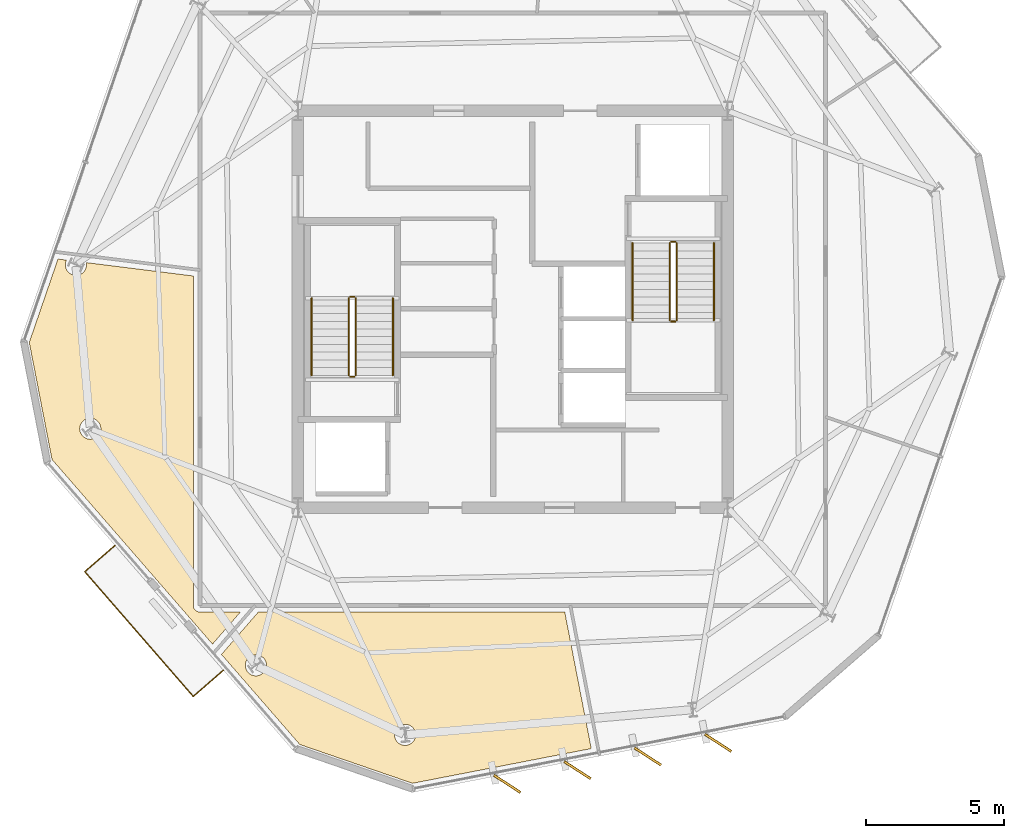
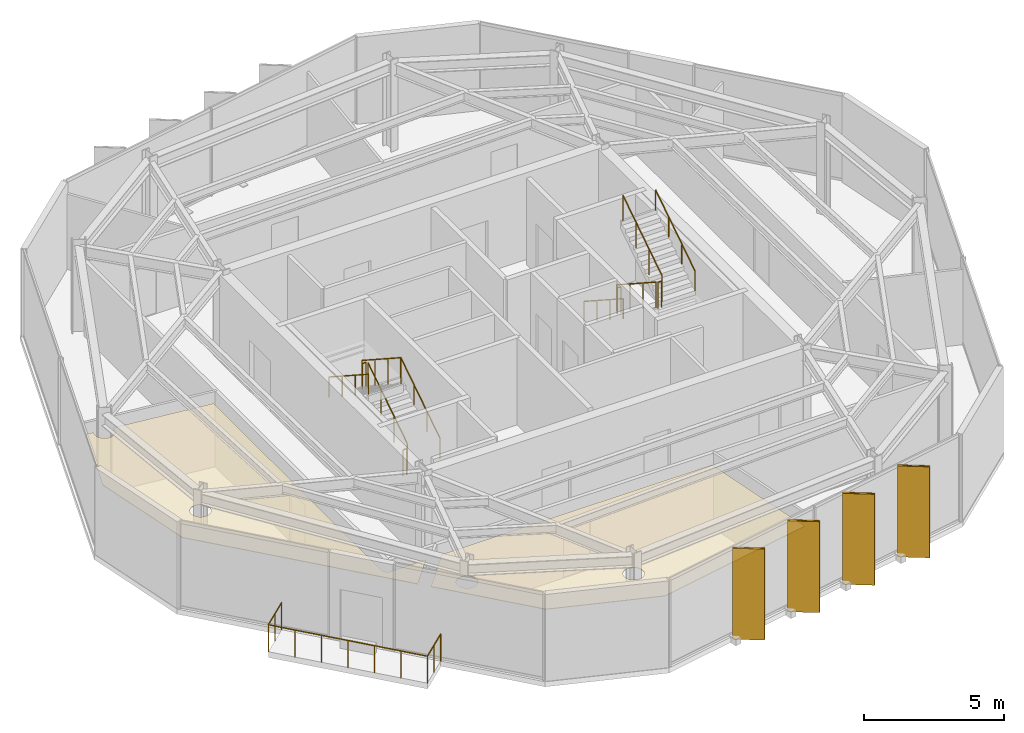
# One storey, part 9 of 10: 13 railings, 6 coverings, 4 shading devices.
"""IFC4 building model written with IfcOpenShell, lengths in metres."""

from ifc_helpers import new_model, si_unit, direction, frame, origin, origin_2d, place, context, subcontext, project, spatial, polyline, rectangle, circle, outline, extrude, material, layer, layer_set, type_object, element, save


model = new_model("IFC4")

# Units and contexts
model_context = context("Model", 3, precision=1e-05, world=origin(), true_north=direction((0.0, 1.0)))
body_context = subcontext(model_context, "Body", "Model", "MODEL_VIEW")
ifc_project = project(units=[si_unit("LENGTHUNIT", "METRE"), si_unit("AREAUNIT", "SQUARE_METRE"), si_unit("VOLUMEUNIT", "CUBIC_METRE"), si_unit("PLANEANGLEUNIT", "RADIAN"), si_unit("MASSUNIT", "GRAM", prefix="KILO")], contexts=[model_context])

# Site, building, storey
site_placement = place(None, origin())
site = spatial("IfcSite", under=ifc_project, at=site_placement, CompositionType="ELEMENT")
building_placement = place(site_placement, origin())
building = spatial("IfcBuilding", under=site, at=building_placement, Name="Kranzbogen Civic Tower", CompositionType="ELEMENT")
storey_placement = place(building_placement, frame((0.0, 0.0, 310.199951171875)))
storey = spatial("IfcBuildingStorey", under=building, at=storey_placement, Name="L75", CompositionType="ELEMENT", Elevation=310.199951171875)

# Coverings
ifc_material_1 = material(Name="Pale Anodised Aluminium", Category="aluminium")
ifc_layer_1 = layer(ifc_material_1, 0.02490234375, Name="Pale Anodised Aluminium")
ifc_layer_set_1 = layer_set([ifc_layer_1], Name="Pale Anodised Aluminium")
covering_type_1 = type_object("IfcCoveringType", Name="Anodised Aluminium Vertical Fin Cladding 25 mm", PredefinedType="CLADDING", material=ifc_layer_set_1)
for number, where, z_axis, x_axis, name in (
    (1, (24.797119140625, 7.77099609375, -0.139892578125), (0.0, 0.0, 1.0), (0.838927129914, -0.544243760362, 0.0), "L75 vertical fin pale-metal cladding F4-1"),
    (2, (27.35009765625, 8.26708984375, -0.139892578125), (0.0, 0.0, 1.0), (0.838927129914, -0.544243760362, 0.0), "L75 vertical fin pale-metal cladding F4-2"),
    (3, (29.902099609375, 8.762939453125, -0.139892578125), (0.0, 0.0, 1.0), (0.838927129914, -0.544243760362, 0.0), "L75 vertical fin pale-metal cladding F4-3"),
    (4, (32.4541015625, 9.259033203125, -0.139892578125), (0.0, 0.0, 1.0), (0.838927129914, -0.544243760362, 0.0), "L75 vertical fin pale-metal cladding F4-4"),
):
    element("IfcCovering", number, at=place(storey_placement, frame(where, z_axis=z_axis, x_axis=x_axis)), inside=storey, type_object=covering_type_1, Name=name, PredefinedType="CLADDING", context=body_context, shape_type="SweptSolid", body=[
        extrude(rectangle(XDim=1.14990234375, YDim=0.094970703125, at=origin_2d()), origin(), (0.0, 0.0, 1.0), 3.9599609375),
    ])

# Railings
ifc_material_2 = material(Name="Anodised Bronze Aluminium", Category="aluminium")
railing_type_1 = type_object("IfcRailingType", Name="Cantilevered Balcony Glass and Bronze Balustrade 1200", PredefinedType="BALUSTRADE", material=ifc_material_2)
railing_1_placement = place(storey_placement, frame((10.56005859375, 16.423095703125, 0.0)))
element("IfcRailing", 5, at=railing_1_placement, inside=storey, type_object=railing_type_1, Name="L75 exterior terrace balustrade L75-TB1", PredefinedType="BALUSTRADE", context=body_context, shape_type="SweptSolid", body=[
    extrude(circle(Radius=0.02392578125, at=origin_2d()), frame((0.0, 0.0, 1.17578125), z_axis=(-0.754649028152, -0.656128679688, 0.0), x_axis=(0.656128679688, -0.754649028152, 0.0)), (0.0, 0.0, 1.0), 1.44970703125),
    extrude(circle(Radius=0.02392578125, at=origin_2d()), frame((-1.093994140625, -0.951171875, 1.17578125), z_axis=(0.656075968794, -0.754694854343, 0.0), x_axis=(0.754694854343, 0.656075968794, 0.0)), (0.0, 0.0, 1.0), 6.000732421875),
    extrude(circle(Radius=0.02392578125, at=origin_2d()), frame((2.843017578125, -5.47998046875, 1.17578125), z_axis=(0.754732419377, 0.656032754625, 0.0), x_axis=(-0.656032754625, 0.754732419377, 0.0)), (0.0, 0.0, 1.0), 1.449462890625),
    extrude(circle(Radius=0.02099609375, at=origin_2d()), origin(), (0.0, 0.0, 1.0), 1.15185546875),
    extrude(circle(Radius=0.02099609375, at=origin_2d()), frame((-0.546875, -0.4755859375, 0.0)), (0.0, 0.0, 1.0), 1.15185546875),
    extrude(circle(Radius=0.02099609375, at=origin_2d()), frame((-1.093994140625, -0.951171875, 0.0)), (0.0, 0.0, 1.0), 1.15185546875),
    extrude(circle(Radius=0.02099609375, at=origin_2d()), frame((-0.437744140625, -1.7060546875, 0.0)), (0.0, 0.0, 1.0), 1.15185546875),
    extrude(circle(Radius=0.02099609375, at=origin_2d()), frame((0.21826171875, -2.460693359375, 0.0)), (0.0, 0.0, 1.0), 1.15185546875),
    extrude(circle(Radius=0.02099609375, at=origin_2d()), frame((0.87451171875, -3.215576171875, 0.0)), (0.0, 0.0, 1.0), 1.15185546875),
    extrude(circle(Radius=0.02099609375, at=origin_2d()), frame((1.53076171875, -3.970458984375, 0.0)), (0.0, 0.0, 1.0), 1.15185546875),
    extrude(circle(Radius=0.02099609375, at=origin_2d()), frame((2.186767578125, -4.72509765625, 0.0)), (0.0, 0.0, 1.0), 1.15185546875),
    extrude(circle(Radius=0.02099609375, at=origin_2d()), frame((2.843017578125, -5.47998046875, 0.0)), (0.0, 0.0, 1.0), 1.15185546875),
    extrude(circle(Radius=0.02099609375, at=origin_2d()), frame((3.39013671875, -5.00439453125, 0.0)), (0.0, 0.0, 1.0), 1.15185546875),
    extrude(circle(Radius=0.02099609375, at=origin_2d()), frame((3.93701171875, -4.529052734375, 0.0)), (0.0, 0.0, 1.0), 1.15185546875),
])
ifc_material_3 = material(Name="Steel S355", Category="steel")
railing_type_2 = type_object("IfcRailingType", Name="Internal Stair and Void Steel Guardrail 1150", PredefinedType="GUARDRAIL", material=ifc_material_3)
railing_2_placement = place(storey_placement, frame((19.300048828125, 22.60009765625, 0.181884765625)))
element("IfcRailing", 6, at=railing_2_placement, inside=storey, type_object=railing_type_2, Name="L75 ST-T1 stair guard 1", PredefinedType="GUARDRAIL", context=body_context, shape_type="SweptSolid", body=[
    extrude(circle(Radius=0.02392578125, at=origin_2d()), frame((0.0, 0.0, 1.1259765625), z_axis=(0.0, 0.83868413941, 0.544618136222), x_axis=(-1.0, 0.0, 0.0)), (0.0, 0.0, 1.0), 3.33837890625),
    extrude(circle(Radius=0.02099609375, at=origin_2d()), origin(), (0.0, 0.0, 1.0), 1.101806640625),
    extrude(circle(Radius=0.02099609375, at=origin_2d()), frame((0.0, 0.933349609375, 0.60595703125)), (0.0, 0.0, 1.0), 1.101806640625),
    extrude(circle(Radius=0.02099609375, at=origin_2d()), frame((0.0, 1.866455078125, 1.212158203125)), (0.0, 0.0, 1.0), 1.101806640625),
    extrude(circle(Radius=0.02099609375, at=origin_2d()), frame((0.0, 2.7998046875, 1.818115234375)), (0.0, 0.0, 1.0), 1.101806640625),
])
railing_3_placement = place(storey_placement, frame((19.25, 25.449951171875, 2.0)))
element("IfcRailing", 7, at=railing_3_placement, inside=storey, type_object=railing_type_2, Name="L75 ST-T1 stair guard 2", PredefinedType="GUARDRAIL", context=body_context, shape_type="SweptSolid", body=[
    extrude(circle(Radius=0.02392578125, at=origin_2d()), frame((0.0, 0.0, 1.1259765625), z_axis=(-1.0, 0.0, 0.0), x_axis=(0.0, -1.0, 0.0)), (0.0, 0.0, 1.0), 0.14990234375),
    extrude(circle(Radius=0.02099609375, at=origin_2d()), origin(), (0.0, 0.0, 1.0), 1.101806640625),
    extrude(circle(Radius=0.02099609375, at=origin_2d()), frame((-0.14990234375, 0.0, 0.0)), (0.0, 0.0, 1.0), 1.101806640625),
])
railing_4_placement = place(storey_placement, frame((19.050048828125, 25.39990234375, 2.181884765625)))
element("IfcRailing", 8, at=railing_4_placement, inside=storey, type_object=railing_type_2, Name="L75 ST-T1 stair guard 3", PredefinedType="GUARDRAIL", context=body_context, shape_type="SweptSolid", body=[
    extrude(circle(Radius=0.02392578125, at=origin_2d()), frame((0.0, 0.0, 1.1259765625), z_axis=(0.0, -0.83868413941, 0.544618136222), x_axis=(1.0, 0.0, 0.0)), (0.0, 0.0, 1.0), 3.33837890625),
    extrude(circle(Radius=0.02099609375, at=origin_2d()), origin(), (0.0, 0.0, 1.0), 1.101806640625),
    extrude(circle(Radius=0.02099609375, at=origin_2d()), frame((0.0, -0.933349609375, 0.60595703125)), (0.0, 0.0, 1.0), 1.101806640625),
    extrude(circle(Radius=0.02099609375, at=origin_2d()), frame((0.0, -1.866455078125, 1.212158203125)), (0.0, 0.0, 1.0), 1.101806640625),
    extrude(circle(Radius=0.02099609375, at=origin_2d()), frame((0.0, -2.7998046875, 1.818115234375)), (0.0, 0.0, 1.0), 1.101806640625),
])
railing_5_placement = place(storey_placement, frame((19.25, 22.550048828125, 0.0)))
element("IfcRailing", 9, at=railing_5_placement, inside=storey, type_object=railing_type_2, Name="L75 ST-T1 stair guard 4", PredefinedType="GUARDRAIL", context=body_context, shape_type="SweptSolid", body=[
    extrude(circle(Radius=0.02392578125, at=origin_2d()), frame((0.0, 0.0, 1.1259765625), z_axis=(-1.0, 0.0, 0.0), x_axis=(0.0, -1.0, 0.0)), (0.0, 0.0, 1.0), 0.14990234375),
    extrude(circle(Radius=0.02099609375, at=origin_2d()), origin(), (0.0, 0.0, 1.0), 1.101806640625),
    extrude(circle(Radius=0.02099609375, at=origin_2d()), frame((-0.14990234375, 0.0, 0.0)), (0.0, 0.0, 1.0), 1.101806640625),
])
railing_6_placement = place(storey_placement, frame((30.699951171875, 27.39990234375, 0.181884765625)))
element("IfcRailing", 10, at=railing_6_placement, inside=storey, type_object=railing_type_2, Name="L75 ST-T2 stair guard 1", PredefinedType="GUARDRAIL", context=body_context, shape_type="SweptSolid", body=[
    extrude(circle(Radius=0.02392578125, at=origin_2d()), frame((0.0, 0.0, 1.1259765625), z_axis=(0.0, -0.83868413941, 0.544618136222), x_axis=(1.0, 0.0, 0.0)), (0.0, 0.0, 1.0), 3.33837890625),
    extrude(circle(Radius=0.02099609375, at=origin_2d()), origin(), (0.0, 0.0, 1.0), 1.101806640625),
    extrude(circle(Radius=0.02099609375, at=origin_2d()), frame((0.0, -0.933349609375, 0.60595703125)), (0.0, 0.0, 1.0), 1.101806640625),
    extrude(circle(Radius=0.02099609375, at=origin_2d()), frame((0.0, -1.866455078125, 1.212158203125)), (0.0, 0.0, 1.0), 1.101806640625),
    extrude(circle(Radius=0.02099609375, at=origin_2d()), frame((0.0, -2.7998046875, 1.818115234375)), (0.0, 0.0, 1.0), 1.101806640625),
])
railing_7_placement = place(storey_placement, frame((30.75, 24.550048828125, 2.0)))
element("IfcRailing", 11, at=railing_7_placement, inside=storey, type_object=railing_type_2, Name="L75 ST-T2 stair guard 2", PredefinedType="GUARDRAIL", context=body_context, shape_type="SweptSolid", body=[
    extrude(circle(Radius=0.02392578125, at=origin_2d()), frame((0.0, 0.0, 1.1259765625), z_axis=(1.0, 0.0, 0.0), x_axis=(0.0, 1.0, 0.0)), (0.0, 0.0, 1.0), 0.14990234375),
    extrude(circle(Radius=0.02099609375, at=origin_2d()), origin(), (0.0, 0.0, 1.0), 1.101806640625),
    extrude(circle(Radius=0.02099609375, at=origin_2d()), frame((0.14990234375, 0.0, 0.0)), (0.0, 0.0, 1.0), 1.101806640625),
])
railing_8_placement = place(storey_placement, frame((30.949951171875, 24.60009765625, 2.181884765625)))
element("IfcRailing", 12, at=railing_8_placement, inside=storey, type_object=railing_type_2, Name="L75 ST-T2 stair guard 3", PredefinedType="GUARDRAIL", context=body_context, shape_type="SweptSolid", body=[
    extrude(circle(Radius=0.02392578125, at=origin_2d()), frame((0.0, 0.0, 1.1259765625), z_axis=(0.0, 0.83868413941, 0.544618136222), x_axis=(-1.0, 0.0, 0.0)), (0.0, 0.0, 1.0), 3.33837890625),
    extrude(circle(Radius=0.02099609375, at=origin_2d()), origin(), (0.0, 0.0, 1.0), 1.101806640625),
    extrude(circle(Radius=0.02099609375, at=origin_2d()), frame((0.0, 0.933349609375, 0.60595703125)), (0.0, 0.0, 1.0), 1.101806640625),
    extrude(circle(Radius=0.02099609375, at=origin_2d()), frame((0.0, 1.866455078125, 1.212158203125)), (0.0, 0.0, 1.0), 1.101806640625),
    extrude(circle(Radius=0.02099609375, at=origin_2d()), frame((0.0, 2.7998046875, 1.818115234375)), (0.0, 0.0, 1.0), 1.101806640625),
])
railing_9_placement = place(storey_placement, frame((30.75, 27.449951171875, 0.0)))
element("IfcRailing", 13, at=railing_9_placement, inside=storey, type_object=railing_type_2, Name="L75 ST-T2 stair guard 4", PredefinedType="GUARDRAIL", context=body_context, shape_type="SweptSolid", body=[
    extrude(circle(Radius=0.02392578125, at=origin_2d()), frame((0.0, 0.0, 1.1259765625), z_axis=(1.0, 0.0, 0.0), x_axis=(0.0, 1.0, 0.0)), (0.0, 0.0, 1.0), 0.14990234375),
    extrude(circle(Radius=0.02099609375, at=origin_2d()), origin(), (0.0, 0.0, 1.0), 1.101806640625),
    extrude(circle(Radius=0.02099609375, at=origin_2d()), frame((0.14990234375, 0.0, 0.0)), (0.0, 0.0, 1.0), 1.101806640625),
])

# Shading devices
shading_device_type = type_object("IfcShadingDeviceType", Name="Pale Anodised Aluminium Crown Fin 1150x75", PredefinedType="USERDEFINED", material=ifc_material_1)
for number, where, z_axis, x_axis, name in (
    (14, (24.797119140625, 7.77099609375, -0.139892578125), (0.0, 0.0, 1.0), (0.838927129914, -0.544243760362, 0.0), "L75 vertical exterior shading fin F4-1"),
    (15, (27.35009765625, 8.26708984375, -0.139892578125), (0.0, 0.0, 1.0), (0.838927129914, -0.544243760362, 0.0), "L75 vertical exterior shading fin F4-2"),
    (16, (29.902099609375, 8.762939453125, -0.139892578125), (0.0, 0.0, 1.0), (0.838927129914, -0.544243760362, 0.0), "L75 vertical exterior shading fin F4-3"),
    (17, (32.4541015625, 9.259033203125, -0.139892578125), (0.0, 0.0, 1.0), (0.838927129914, -0.544243760362, 0.0), "L75 vertical exterior shading fin F4-4"),
):
    element("IfcShadingDevice", number, at=place(storey_placement, frame(where, z_axis=z_axis, x_axis=x_axis)), inside=storey, type_object=shading_device_type, Name=name, ObjectType="FIN", PredefinedType="USERDEFINED", context=body_context, shape_type="SweptSolid", body=[
        extrude(rectangle(XDim=1.14990234375, YDim=0.074951171875, at=origin_2d()), origin(), (0.0, 0.0, 1.0), 3.9599609375),
    ])

# Coverings
ifc_material_4 = material(Name="Perforated Acoustic Gypsum Ceiling")
ifc_layer_2 = layer(ifc_material_4, 0.02490234375, Name="Perforated Acoustic Gypsum Ceiling")
ifc_layer_set_2 = layer_set([ifc_layer_2], Name="Perforated Acoustic Gypsum Ceiling")
covering_type_2 = type_object("IfcCoveringType", Name="Perforated Acoustic Mineral Ceiling Tile 25 mm", PredefinedType="CEILING", material=ifc_layer_set_2)
covering_1_placement = place(storey_placement, frame((0.0, 0.0, 2.900146484375)))
element("IfcCovering", 18, at=covering_1_placement, inside=storey, type_object=covering_type_2, Name="L75 Public Delegation Reception acoustic ceiling", PredefinedType="CEILING", context=body_context, shape_type="SweptSolid", body=[
    extrude(outline(polyline([(7.450927734375, 23.79296875), (8.492919921875, 26.820068359375), (8.802001953125, 26.781005859375), (8.791015625, 26.757080078125), (8.778076171875, 26.720947265625), (8.76904296875, 26.68505859375), (8.762939453125, 26.64794921875), (8.761962890625, 26.610107421875), (8.762939453125, 26.572021484375), (8.76904296875, 26.534912109375), (8.778076171875, 26.4990234375), (8.791015625, 26.462890625), (8.806884765625, 26.428955078125), (8.825927734375, 26.39697265625), (8.84912109375, 26.366943359375), (8.8740234375, 26.339111328125), (8.902099609375, 26.31396484375), (8.931884765625, 26.291015625), (8.964111328125, 26.27197265625), (8.998046875, 26.256103515625), (9.033935546875, 26.242919921875), (9.070068359375, 26.23388671875), (9.10693359375, 26.22802734375), (9.14501953125, 26.22705078125), (9.18310546875, 26.22802734375), (9.219970703125, 26.23388671875), (9.256103515625, 26.242919921875), (9.2919921875, 26.256103515625), (9.325927734375, 26.27197265625), (9.35791015625, 26.291015625), (9.387939453125, 26.31396484375), (9.416015625, 26.339111328125), (9.44091796875, 26.366943359375), (9.464111328125, 26.39697265625), (9.48291015625, 26.428955078125), (9.4990234375, 26.462890625), (9.511962890625, 26.4990234375), (9.52099609375, 26.534912109375), (9.527099609375, 26.572021484375), (9.528076171875, 26.610107421875), (9.527099609375, 26.64794921875), (9.52099609375, 26.68505859375), (9.51904296875, 26.69189453125), (13.405029296875, 26.205078125), (13.405029296875, 14.25), (13.405029296875, 14.240966796875), (13.406005859375, 14.235107421875), (13.406982421875, 14.217041015625), (13.407958984375, 14.2109375), (13.412109375, 14.194091796875), (13.4130859375, 14.18701171875), (13.41796875, 14.169921875), (13.419921875, 14.1640625), (13.427001953125, 14.14794921875), (13.429931640625, 14.14208984375), (13.43798828125, 14.126953125), (13.44189453125, 14.12109375), (13.450927734375, 14.10693359375), (13.455078125, 14.10205078125), (13.466064453125, 14.087890625), (13.470947265625, 14.0830078125), (13.48291015625, 14.071044921875), (13.488037109375, 14.06591796875), (13.501953125, 14.054931640625), (13.507080078125, 14.051025390625), (13.52099609375, 14.0419921875), (13.527099609375, 14.0380859375), (13.5419921875, 14.030029296875), (13.548095703125, 14.027099609375), (13.56396484375, 14.02001953125), (13.570068359375, 14.01806640625), (13.5869140625, 14.012939453125), (13.593994140625, 14.011962890625), (13.611083984375, 14.008056640625), (13.616943359375, 14.007080078125), (13.635009765625, 14.006103515625), (13.64111328125, 14.0048828125), (13.64990234375, 14.0048828125), (15.113037109375, 14.0048828125), (14.10302734375, 12.843017578125), (8.27587890625, 19.5458984375), (7.450927734375, 23.79296875)]), holes=[polyline([(10.02001953125, 20.513916015625), (10.00390625, 20.47998046875), (9.985107421875, 20.447998046875), (9.9619140625, 20.41796875), (9.93701171875, 20.389892578125), (9.908935546875, 20.364990234375), (9.87890625, 20.342041015625), (9.846923828125, 20.322998046875), (9.81298828125, 20.306884765625), (9.777099609375, 20.2939453125), (9.740966796875, 20.284912109375), (9.7041015625, 20.279052734375), (9.666015625, 20.278076171875), (9.6279296875, 20.279052734375), (9.591064453125, 20.284912109375), (9.554931640625, 20.2939453125), (9.51904296875, 20.306884765625), (9.485107421875, 20.322998046875), (9.452880859375, 20.342041015625), (9.423095703125, 20.364990234375), (9.39501953125, 20.389892578125), (9.3701171875, 20.41796875), (9.346923828125, 20.447998046875), (9.327880859375, 20.47998046875), (9.31201171875, 20.513916015625), (9.299072265625, 20.550048828125), (9.2900390625, 20.5859375), (9.283935546875, 20.623046875), (9.282958984375, 20.660888671875), (9.283935546875, 20.698974609375), (9.2900390625, 20.736083984375), (9.299072265625, 20.77197265625), (9.31201171875, 20.80810546875), (9.327880859375, 20.842041015625), (9.346923828125, 20.8740234375), (9.3701171875, 20.904052734375), (9.39501953125, 20.931884765625), (9.423095703125, 20.95703125), (9.452880859375, 20.97998046875), (9.485107421875, 20.9990234375), (9.51904296875, 21.014892578125), (9.554931640625, 21.028076171875), (9.591064453125, 21.037109375), (9.6279296875, 21.04296875), (9.666015625, 21.0439453125), (9.7041015625, 21.04296875), (9.740966796875, 21.037109375), (9.777099609375, 21.028076171875), (9.81298828125, 21.014892578125), (9.846923828125, 20.9990234375), (9.87890625, 20.97998046875), (9.908935546875, 20.95703125), (9.93701171875, 20.931884765625), (9.9619140625, 20.904052734375), (9.985107421875, 20.8740234375), (10.00390625, 20.842041015625), (10.02001953125, 20.80810546875), (10.032958984375, 20.77197265625), (10.0419921875, 20.736083984375), (10.048095703125, 20.698974609375), (10.049072265625, 20.660888671875), (10.048095703125, 20.623046875), (10.0419921875, 20.5859375), (10.032958984375, 20.550048828125), (10.02001953125, 20.513916015625)])]), origin(), (0.0, 0.0, 1.0), 0.02490234375),
])
covering_2_placement = place(storey_placement, frame((0.0, 0.0, 2.900146484375)))
element("IfcCovering", 19, at=covering_2_placement, inside=storey, type_object=covering_type_2, Name="L75 Visitor Concierge Foyer acoustic ceiling", PredefinedType="CEILING", context=body_context, shape_type="SweptSolid", body=[
    extrude(outline(polyline([(17.27099609375, 9.197998046875), (14.427001953125, 12.468994140625), (15.762939453125, 14.0048828125), (26.887939453125, 14.0048828125), (27.85009765625, 9.051025390625), (21.361083984375, 7.7900390625), (17.27099609375, 9.197998046875)]), holes=[polyline([(21.445068359375, 9.403076171875), (21.428955078125, 9.368896484375), (21.409912109375, 9.3369140625), (21.386962890625, 9.306884765625), (21.362060546875, 9.279052734375), (21.333984375, 9.25390625), (21.303955078125, 9.23095703125), (21.27197265625, 9.2119140625), (21.238037109375, 9.196044921875), (21.201904296875, 9.18310546875), (21.166015625, 9.174072265625), (21.12890625, 9.16796875), (21.091064453125, 9.1669921875), (21.052978515625, 9.16796875), (21.01611328125, 9.174072265625), (20.97998046875, 9.18310546875), (20.944091796875, 9.196044921875), (20.909912109375, 9.2119140625), (20.8779296875, 9.23095703125), (20.847900390625, 9.25390625), (20.820068359375, 9.279052734375), (20.794921875, 9.306884765625), (20.77197265625, 9.3369140625), (20.7529296875, 9.368896484375), (20.737060546875, 9.403076171875), (20.72412109375, 9.43896484375), (20.715087890625, 9.47509765625), (20.708984375, 9.511962890625), (20.7080078125, 9.550048828125), (20.708984375, 9.587890625), (20.715087890625, 9.625), (20.72412109375, 9.660888671875), (20.737060546875, 9.697021484375), (20.7529296875, 9.73095703125), (20.77197265625, 9.762939453125), (20.794921875, 9.79296875), (20.820068359375, 9.821044921875), (20.847900390625, 9.845947265625), (20.8779296875, 9.868896484375), (20.909912109375, 9.887939453125), (20.944091796875, 9.904052734375), (20.97998046875, 9.9169921875), (21.01611328125, 9.926025390625), (21.052978515625, 9.931884765625), (21.091064453125, 9.93310546875), (21.12890625, 9.931884765625), (21.166015625, 9.926025390625), (21.201904296875, 9.9169921875), (21.238037109375, 9.904052734375), (21.27197265625, 9.887939453125), (21.303955078125, 9.868896484375), (21.333984375, 9.845947265625), (21.362060546875, 9.821044921875), (21.386962890625, 9.79296875), (21.409912109375, 9.762939453125), (21.428955078125, 9.73095703125), (21.445068359375, 9.697021484375), (21.4580078125, 9.660888671875), (21.467041015625, 9.625), (21.472900390625, 9.587890625), (21.47412109375, 9.550048828125), (21.472900390625, 9.511962890625), (21.467041015625, 9.47509765625), (21.4580078125, 9.43896484375), (21.445068359375, 9.403076171875)]), polyline([(16.031982421875, 11.927001953125), (16.01611328125, 11.89306640625), (15.9970703125, 11.861083984375), (15.97412109375, 11.8310546875), (15.948974609375, 11.802978515625), (15.9208984375, 11.778076171875), (15.89111328125, 11.7548828125), (15.85888671875, 11.736083984375), (15.824951171875, 11.719970703125), (15.7890625, 11.70703125), (15.7529296875, 11.697998046875), (15.716064453125, 11.69189453125), (15.677978515625, 11.69091796875), (15.639892578125, 11.69189453125), (15.60302734375, 11.697998046875), (15.56689453125, 11.70703125), (15.531005859375, 11.719970703125), (15.4970703125, 11.736083984375), (15.465087890625, 11.7548828125), (15.43505859375, 11.778076171875), (15.406982421875, 11.802978515625), (15.382080078125, 11.8310546875), (15.35888671875, 11.861083984375), (15.340087890625, 11.89306640625), (15.323974609375, 11.927001953125), (15.31103515625, 11.962890625), (15.302001953125, 11.9990234375), (15.2958984375, 12.035888671875), (15.294921875, 12.073974609375), (15.2958984375, 12.112060546875), (15.302001953125, 12.14892578125), (15.31103515625, 12.18505859375), (15.323974609375, 12.220947265625), (15.340087890625, 12.2548828125), (15.35888671875, 12.287109375), (15.382080078125, 12.31689453125), (15.406982421875, 12.344970703125), (15.43505859375, 12.3701171875), (15.465087890625, 12.39306640625), (15.4970703125, 12.412109375), (15.531005859375, 12.427978515625), (15.56689453125, 12.44091796875), (15.60302734375, 12.449951171875), (15.639892578125, 12.4560546875), (15.677978515625, 12.45703125), (15.716064453125, 12.4560546875), (15.7529296875, 12.449951171875), (15.7890625, 12.44091796875), (15.824951171875, 12.427978515625), (15.85888671875, 12.412109375), (15.89111328125, 12.39306640625), (15.9208984375, 12.3701171875), (15.948974609375, 12.344970703125), (15.97412109375, 12.31689453125), (15.9970703125, 12.287109375), (16.01611328125, 12.2548828125), (16.031982421875, 12.220947265625), (16.044921875, 12.18505859375), (16.053955078125, 12.14892578125), (16.06005859375, 12.112060546875), (16.06103515625, 12.073974609375), (16.06005859375, 12.035888671875), (16.053955078125, 11.9990234375), (16.044921875, 11.962890625), (16.031982421875, 11.927001953125)])]), origin(), (0.0, 0.0, 1.0), 0.02490234375),
])

# Railings
railing_type_3 = type_object("IfcRailingType", Name="Tubular Stainless Stair Wall Handrail 900", PredefinedType="HANDRAIL", material=ifc_material_1)
railing_10_placement = place(storey_placement, frame((20.64990234375, 22.60009765625, 0.181884765625)))
element("IfcRailing", 20, at=railing_10_placement, inside=storey, type_object=railing_type_3, Name="L75 ST-T1 stair handrail 1", PredefinedType="HANDRAIL", context=body_context, shape_type="SweptSolid", body=[
    extrude(circle(Radius=0.02392578125, at=origin_2d()), frame((0.0, 0.0, 0.8759765625), z_axis=(0.0, 0.83868413941, 0.544618136222), x_axis=(-1.0, 0.0, 0.0)), (0.0, 0.0, 1.0), 3.33837890625),
    extrude(circle(Radius=0.02099609375, at=origin_2d()), origin(), (0.0, 0.0, 1.0), 0.851806640625),
    extrude(circle(Radius=0.02099609375, at=origin_2d()), frame((0.0, 0.933349609375, 0.60595703125)), (0.0, 0.0, 1.0), 0.851806640625),
    extrude(circle(Radius=0.02099609375, at=origin_2d()), frame((0.0, 1.866455078125, 1.212158203125)), (0.0, 0.0, 1.0), 0.851806640625),
    extrude(circle(Radius=0.02099609375, at=origin_2d()), frame((0.0, 2.7998046875, 1.818115234375)), (0.0, 0.0, 1.0), 0.851806640625),
])
for number, where, name in (
    (21, (17.699951171875, 25.39990234375, 2.181884765625), "L75 ST-T1 stair handrail 2"),
    (22, (29.35009765625, 27.39990234375, 0.181884765625), "L75 ST-T2 stair handrail 1"),
):
    element("IfcRailing", number, at=place(storey_placement, frame(where)), inside=storey, type_object=railing_type_3, Name=name, PredefinedType="HANDRAIL", context=body_context, shape_type="SweptSolid", body=[
        extrude(circle(Radius=0.02392578125, at=origin_2d()), frame((0.0, 0.0, 0.8759765625), z_axis=(0.0, -0.83868413941, 0.544618136222), x_axis=(1.0, 0.0, 0.0)), (0.0, 0.0, 1.0), 3.33837890625),
        extrude(circle(Radius=0.02099609375, at=origin_2d()), origin(), (0.0, 0.0, 1.0), 0.851806640625),
        extrude(circle(Radius=0.02099609375, at=origin_2d()), frame((0.0, -0.933349609375, 0.60595703125)), (0.0, 0.0, 1.0), 0.851806640625),
        extrude(circle(Radius=0.02099609375, at=origin_2d()), frame((0.0, -1.866455078125, 1.212158203125)), (0.0, 0.0, 1.0), 0.851806640625),
        extrude(circle(Radius=0.02099609375, at=origin_2d()), frame((0.0, -2.7998046875, 1.818115234375)), (0.0, 0.0, 1.0), 0.851806640625),
    ])
railing_11_placement = place(storey_placement, frame((32.300048828125, 24.60009765625, 2.181884765625)))
element("IfcRailing", 23, at=railing_11_placement, inside=storey, type_object=railing_type_3, Name="L75 ST-T2 stair handrail 2", PredefinedType="HANDRAIL", context=body_context, shape_type="SweptSolid", body=[
    extrude(circle(Radius=0.02392578125, at=origin_2d()), frame((0.0, 0.0, 0.8759765625), z_axis=(0.0, 0.83868413941, 0.544618136222), x_axis=(-1.0, 0.0, 0.0)), (0.0, 0.0, 1.0), 3.33837890625),
    extrude(circle(Radius=0.02099609375, at=origin_2d()), origin(), (0.0, 0.0, 1.0), 0.851806640625),
    extrude(circle(Radius=0.02099609375, at=origin_2d()), frame((0.0, 0.933349609375, 0.60595703125)), (0.0, 0.0, 1.0), 0.851806640625),
    extrude(circle(Radius=0.02099609375, at=origin_2d()), frame((0.0, 1.866455078125, 1.212158203125)), (0.0, 0.0, 1.0), 0.851806640625),
    extrude(circle(Radius=0.02099609375, at=origin_2d()), frame((0.0, 2.7998046875, 1.818115234375)), (0.0, 0.0, 1.0), 0.851806640625),
])

save(model, "model.ifc")
